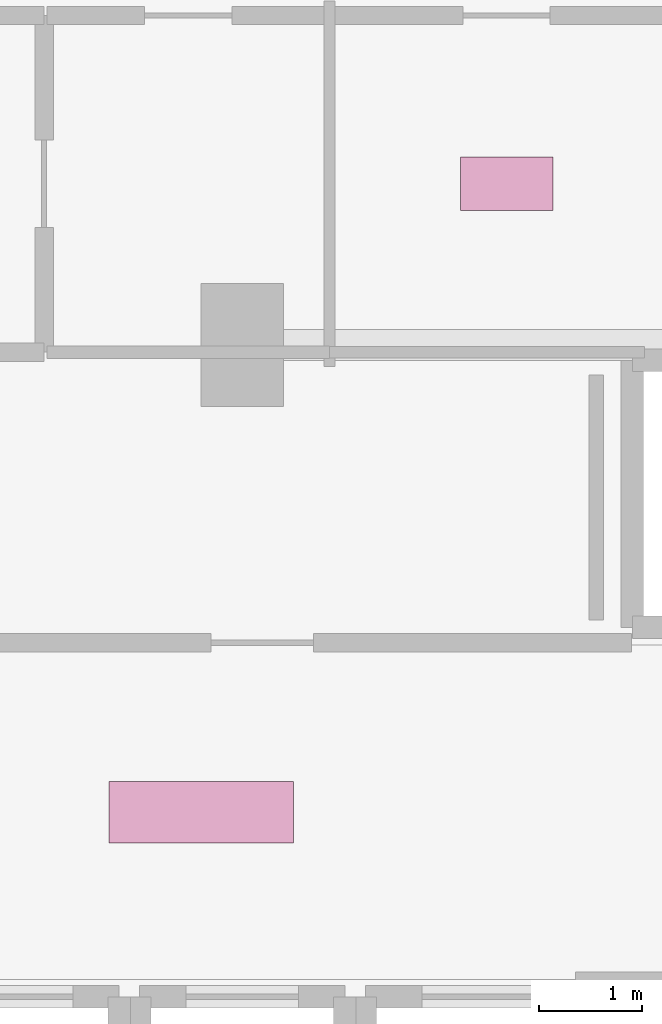
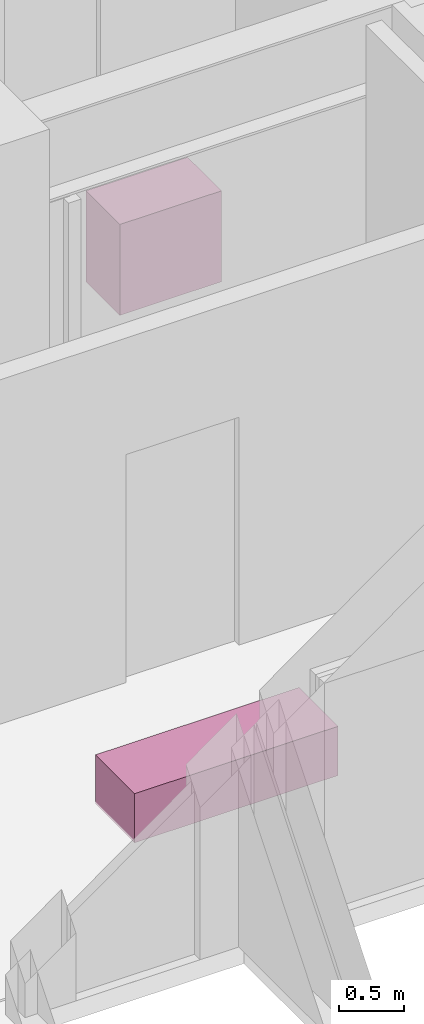
# One storey, part 28 of 28: 2 furnishings.
"""IFC4 building model written with IfcOpenShell, lengths in metres."""

from ifc_helpers import new_model, si_unit, direction, frame, origin, origin_2d, place, context, subcontext, project, spatial, rectangle, extrude, material, type_object, element, save


model = new_model("IFC4")

# Units and contexts
model_context = context("Model", 3, precision=1e-05, world=origin(), true_north=direction((0.0, 1.0)))
body_context = subcontext(model_context, "Body", "Model", "MODEL_VIEW")
ifc_project = project(units=[si_unit("LENGTHUNIT", "METRE"), si_unit("AREAUNIT", "SQUARE_METRE"), si_unit("VOLUMEUNIT", "CUBIC_METRE"), si_unit("PLANEANGLEUNIT", "RADIAN"), si_unit("MASSUNIT", "GRAM", prefix="KILO")], contexts=[model_context])

# Site, building, storey
site_placement = place(None, origin())
site = spatial("IfcSite", under=ifc_project, at=site_placement, CompositionType="ELEMENT")
building_placement = place(site_placement, origin())
building = spatial("IfcBuilding", under=site, at=building_placement, Name="Vorneva Point Tower", CompositionType="ELEMENT")
storey_placement = place(building_placement, frame((0.0, 0.0, 139.60009765625)))
storey = spatial("IfcBuildingStorey", under=building, at=storey_placement, Name="L37", CompositionType="ELEMENT", Elevation=139.60009765625)

# Furnishings
ifc_material_1 = material(Name="Engineered oak fire-rated door leaf", Category="wood")
furniture_type_1 = type_object("IfcFurnitureType", Name="FUR-BNC-1800", AssemblyPlace="NOTDEFINED", PredefinedType="NOTDEFINED", material=ifc_material_1)
furnishing_1_placement = place(storey_placement, frame((35.0, 26.0, -0.005126953125), z_axis=(0.0, 0.0, 1.0), x_axis=(1.0, 0.0, 0.0)))
element("IfcFurnishingElement", 1, at=furnishing_1_placement, inside=storey, type_object=furniture_type_1, Name="L37 Lift Lobby Seating Bench", ObjectType="L37 Lift Lobby Seating Bench", context=body_context, shape_type="SweptSolid", body=[
    extrude(rectangle(XDim=1.800048828125, YDim=0.60009765625, at=origin_2d()), origin(), (0.0, 0.0, 1.0), 0.4599609375),
])
ifc_material_2 = material(Name="Vitreous china and granite top", Category="masonry")
furniture_type_2 = type_object("IfcFurnitureType", Name="FUR-VAN-900", AssemblyPlace="NOTDEFINED", PredefinedType="NOTDEFINED", material=ifc_material_2)
furnishing_2_placement = place(storey_placement, frame((37.97509765625, 32.1201171875, -0.005126953125), z_axis=(0.0, 0.0, 1.0), x_axis=(1.0, 0.0, 0.0)))
element("IfcFurnishingElement", 2, at=furnishing_2_placement, inside=storey, type_object=furniture_type_2, Name="L37 Accessible WC Vanity Unit", ObjectType="L37 Accessible WC Vanity Unit", context=body_context, shape_type="SweptSolid", body=[
    extrude(rectangle(XDim=0.89990234375, YDim=0.52001953125, at=origin_2d()), origin(), (0.0, 0.0, 1.0), 0.85009765625),
])

save(model, "model.ifc")
